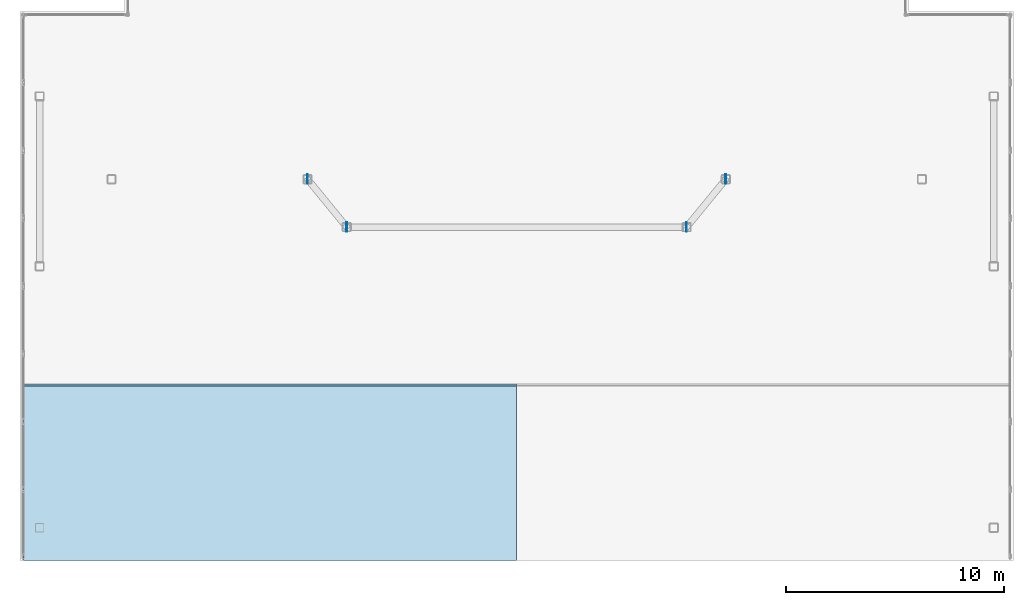
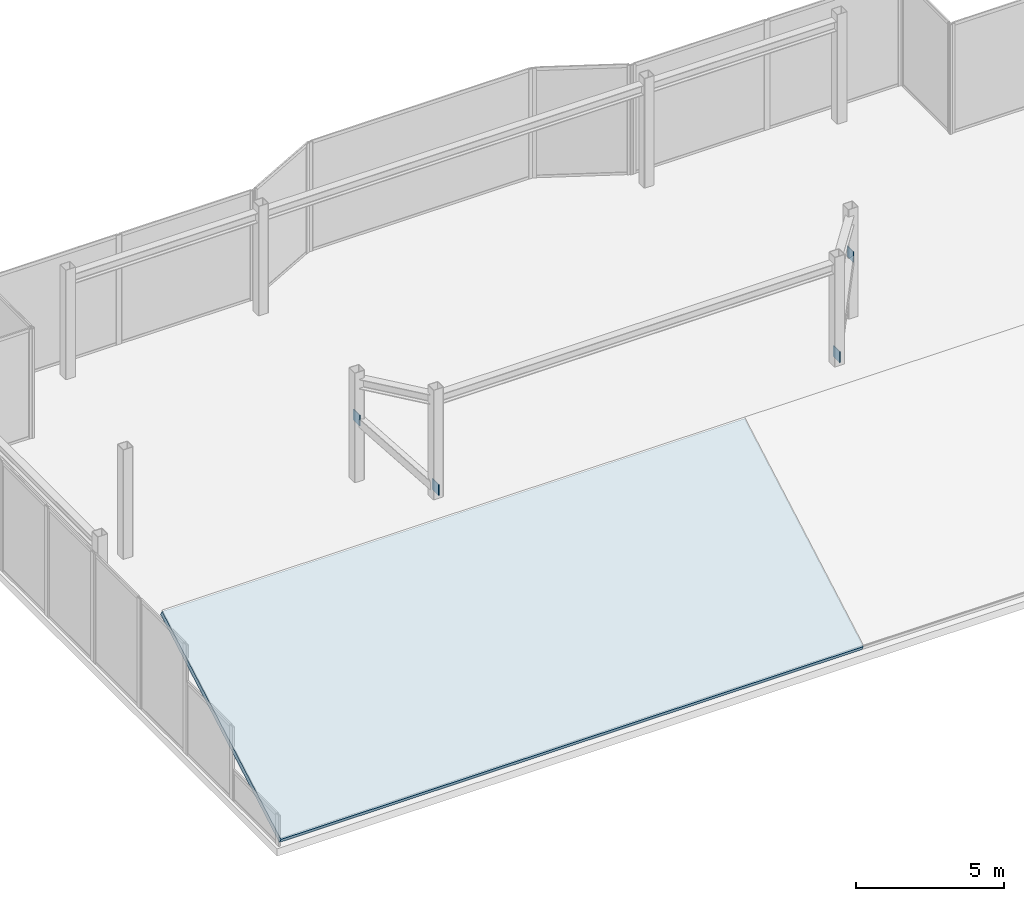
# One storey, part 10 of 12: 4 plates, 1 roof.
"""IFC4 building model written with IfcOpenShell, lengths in metres."""

from ifc_helpers import new_model, si_unit, direction, frame, origin, origin_2d, place, context, subcontext, project, spatial, polyline, rectangle, outline, extrude, material, layer, layer_set, type_object, element, save


model = new_model("IFC4")

# Units and contexts
model_context = context("Model", 3, precision=1e-05, world=origin(), true_north=direction((0.0, 1.0)))
body_context = subcontext(model_context, "Body", "Model", "MODEL_VIEW")
ifc_project = project(units=[si_unit("LENGTHUNIT", "METRE"), si_unit("AREAUNIT", "SQUARE_METRE"), si_unit("VOLUMEUNIT", "CUBIC_METRE"), si_unit("PLANEANGLEUNIT", "RADIAN"), si_unit("MASSUNIT", "GRAM", prefix="KILO")], contexts=[model_context])

# Site, building, storey
site_placement = place(None, origin())
site = spatial("IfcSite", under=ifc_project, at=site_placement, CompositionType="ELEMENT")
building_placement = place(site_placement, origin())
building = spatial("IfcBuilding", under=site, at=building_placement, Name="Tarnavaz Court Tower", CompositionType="ELEMENT")
storey_placement = place(building_placement, frame((0.0, 0.0, 299.550048828125)))
storey = spatial("IfcBuildingStorey", under=building, at=storey_placement, Name="C05", CompositionType="ELEMENT", Elevation=299.550048828125)

# Plates
ifc_material_1 = material(Name="Steel S355", Category="steel")
ifc_layer_1 = layer(ifc_material_1, 0.030029296875)
ifc_layer_set_1 = layer_set([ifc_layer_1], Name="Steel S355")
plate_type = type_object("IfcPlateType", Name="PL-GUSSET-30", PredefinedType="USERDEFINED", material=ifc_layer_set_1)
for number, where, z_axis, x_axis, name in (
    (1, (-7.800048828125, 7.800048828125, 0.1298828125), (0.0, 0.0, 1.0), (0.0, 1.0, 0.0), "C05 Structural Brace & Strut End Gusset Plate 167"),
    (2, (-9.60009765625, 10.0, 2.280029296875), (0.0, 0.0, 1.0), (0.0, 1.0, 0.0), "C05 Structural Brace & Strut End Gusset Plate 168"),
    (3, (7.800048828125, 7.800048828125, 0.1298828125), (0.0, 0.0, 1.0), (0.0, 1.0, 0.0), "C05 Structural Brace & Strut End Gusset Plate 169"),
    (4, (9.60009765625, 10.0, 2.280029296875), (0.0, 0.0, 1.0), (0.0, 1.0, 0.0), "C05 Structural Brace & Strut End Gusset Plate 170"),
):
    element("IfcPlate", number, at=place(storey_placement, frame(where, z_axis=z_axis, x_axis=x_axis)), inside=storey, type_object=plate_type, Name=name, ObjectType="GUSSET PLATE", PredefinedType="USERDEFINED", context=body_context, shape_type="SweptSolid", body=[
        extrude(rectangle(XDim=0.43994140625, YDim=0.030029296875, at=origin_2d()), origin(), (0.0, 0.0, 1.0), 0.43994140625),
    ])

# Roof
ifc_material_2 = material(Name="Precast Concrete C40/50", Category="concrete")
ifc_layer_2 = layer(ifc_material_2, 0.219970703125)
ifc_layer_set_2 = layer_set([ifc_layer_2], Name="Precast Concrete C40/50")
roof_type = type_object("IfcRoofType", Name="RF-CROWN-220", PredefinedType="SHED_ROOF", material=ifc_layer_set_2)
roof_placement = place(storey_placement, frame((-22.64990234375, 0.5, 4.857666015625), z_axis=(0.0, -0.492277818231, 0.870438136617), x_axis=(1.0, 0.0, 0.0)))
element("IfcRoof", 5, at=roof_placement, inside=storey, type_object=roof_type, Name="C05 Slanted-Cut Crown Roof Deck W", PredefinedType="SHED_ROOF", context=body_context, shape_type="SweptSolid", body=[
    extrude(outline(polyline([(0.0, 0.0), (22.64990234375, 0.0), (22.64990234375, -9.19077377639923), (0.0, -9.19077377639923), (0.0, 0.0)])), origin(), (0.0, 0.0, -1.0), 0.219970703125),
])

save(model, "model.ifc")
